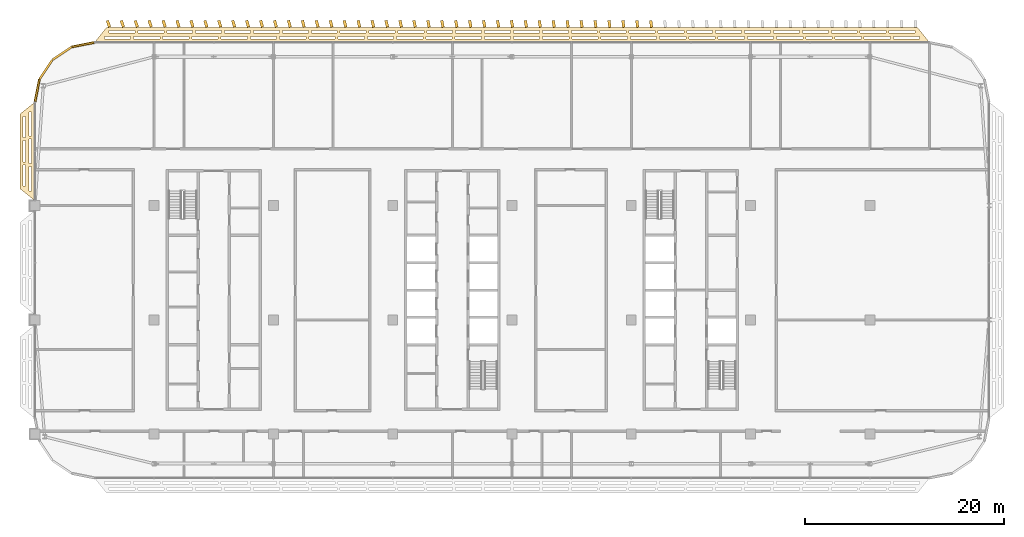
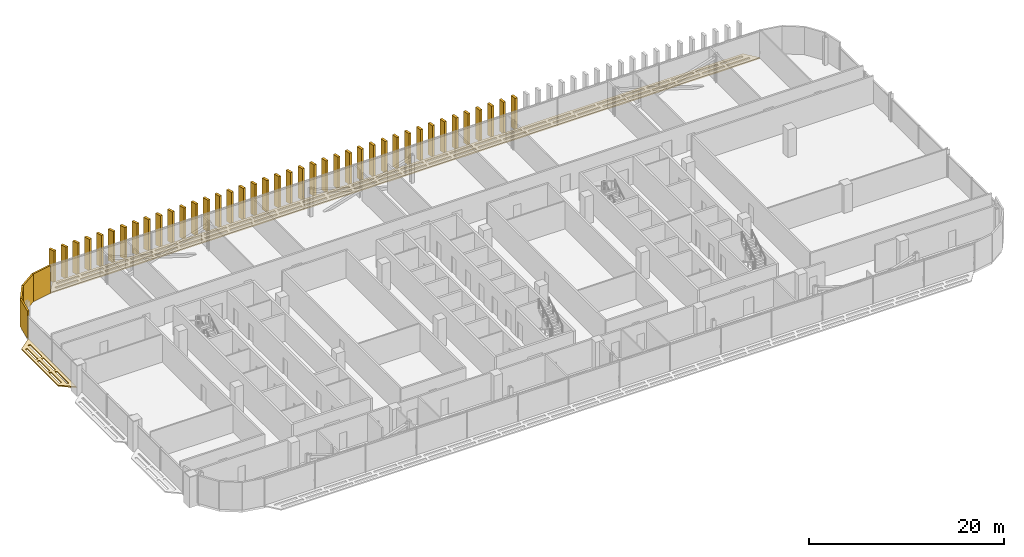
# One storey, part 30 of 32: 46 coverings.
"""IFC4 building model written with IfcOpenShell, lengths in metres."""

from ifc_helpers import new_model, si_unit, direction, frame, origin, origin_2d, place, context, subcontext, project, spatial, polyline, rectangle, outline, extrude, material, layer, layer_set, type_object, element, save


model = new_model("IFC4")

# Units and contexts
model_context = context("Model", 3, precision=1e-05, world=origin(), true_north=direction((0.0, 1.0)))
body_context = subcontext(model_context, "Body", "Model", "MODEL_VIEW")
ifc_project = project(units=[si_unit("LENGTHUNIT", "METRE"), si_unit("AREAUNIT", "SQUARE_METRE"), si_unit("VOLUMEUNIT", "CUBIC_METRE"), si_unit("PLANEANGLEUNIT", "RADIAN"), si_unit("MASSUNIT", "GRAM", prefix="KILO")], contexts=[model_context])

# Site, building, storey
site_placement = place(None, origin())
site = spatial("IfcSite", under=ifc_project, at=site_placement, CompositionType="ELEMENT")
building_placement = place(site_placement, origin())
building = spatial("IfcBuilding", under=site, at=building_placement, Name="Mahtab Terrace Research Tower", CompositionType="ELEMENT")
storey_placement = place(building_placement, frame((0.0, 0.0, 240.0)))
storey = spatial("IfcBuildingStorey", under=building, at=storey_placement, Name="L58", CompositionType="ELEMENT", Elevation=240.0)

# Coverings
ifc_material_1 = material(Name="Black aluminium cladding panel", Category="aluminium")
ifc_layer_1 = layer(ifc_material_1, 0.199951171875)
ifc_layer_set_1 = layer_set([ifc_layer_1], Name="Black metal corner cladding 200")
covering_type_1 = type_object("IfcCoveringType", Name="Black metal corner cladding 200", PredefinedType="CLADDING", material=ifc_layer_set_1)
for number, where, z_axis, x_axis, name in (
    (1, (-37.14794921875, 27.6884765625, 0.0), (0.0, 0.0, 1.0), (-0.980760981187, -0.195212442692, 0.0), "Corner cladding L58 4"),
    (2, (-39.26953125, 26.81005859375, 0.0), (0.0, 0.0, 1.0), (-0.831655794326, -0.555291490808, 0.0), "Corner cladding L58 5"),
    (3, (-40.89306640625, 25.1865234375, 0.0), (0.0, 0.0, 1.0), (-0.555291490808, -0.831655794326, 0.0), "Corner cladding L58 6"),
    (4, (-41.771484375, 23.06494140625, 0.0), (0.0, 0.0, 1.0), (-0.195212442692, -0.980760981187, 0.0), "Corner cladding L58 7"),
):
    element("IfcCovering", number, at=place(storey_placement, frame(where, z_axis=z_axis, x_axis=x_axis)), inside=storey, type_object=covering_type_1, Name=name, PredefinedType="CLADDING", context=body_context, shape_type="SweptSolid", body=[
        extrude(rectangle(XDim=2.30126953125, YDim=0.199951171875, at=origin_2d()), origin(), (0.0, 0.0, 1.0), 3.4599609375),
    ])
ifc_material_2 = material(Name="Black anodised aluminium", Category="aluminium")
ifc_layer_2 = layer(ifc_material_2, 0.14990234375)
ifc_layer_set_2 = layer_set([ifc_layer_2], Name="Horizontal sunshade band")
covering_type_2 = type_object("IfcCoveringType", Name="Horizontal sunshade band", PredefinedType="CLADDING", material=ifc_layer_set_2)
covering_1_placement = place(storey_placement, frame((0.0, 0.0, -0.14990234375)))
element("IfcCovering", 5, at=covering_1_placement, inside=storey, type_object=covering_type_2, Name="Sunshade band L58 3", PredefinedType="CLADDING", context=body_context, shape_type="SweptSolid", body=[
    extrude(outline(polyline([(48.0, 27.9169921875), (-36.0, 27.9169921875), (-34.800048828125, 29.4169921875), (46.800048828125, 29.4169921875), (48.0, 27.9169921875)]), holes=[polyline([(47.02001953125, 28.26708984375), (44.37890625, 28.26708984375), (44.37890625, 28.51708984375), (47.02001953125, 28.51708984375), (47.02001953125, 28.26708984375)]), polyline([(44.0791015625, 28.26708984375), (41.43896484375, 28.26708984375), (41.43896484375, 28.51708984375), (44.0791015625, 28.51708984375), (44.0791015625, 28.26708984375)]), polyline([(41.138916015625, 28.26708984375), (38.498046875, 28.26708984375), (38.498046875, 28.51708984375), (41.138916015625, 28.51708984375), (41.138916015625, 28.26708984375)]), polyline([(38.197998046875, 28.26708984375), (35.556884765625, 28.26708984375), (35.556884765625, 28.51708984375), (38.197998046875, 28.51708984375), (38.197998046875, 28.26708984375)]), polyline([(35.257080078125, 28.26708984375), (32.615966796875, 28.26708984375), (32.615966796875, 28.51708984375), (35.257080078125, 28.51708984375), (35.257080078125, 28.26708984375)]), polyline([(32.31591796875, 28.26708984375), (29.676025390625, 28.26708984375), (29.676025390625, 28.51708984375), (32.31591796875, 28.51708984375), (32.31591796875, 28.26708984375)]), polyline([(29.3759765625, 28.26708984375), (26.735107421875, 28.26708984375), (26.735107421875, 28.51708984375), (29.3759765625, 28.51708984375), (29.3759765625, 28.26708984375)]), polyline([(26.43505859375, 28.26708984375), (23.7939453125, 28.26708984375), (23.7939453125, 28.51708984375), (26.43505859375, 28.51708984375), (26.43505859375, 28.26708984375)]), polyline([(23.493896484375, 28.26708984375), (20.85400390625, 28.26708984375), (20.85400390625, 28.51708984375), (23.493896484375, 28.51708984375), (23.493896484375, 28.26708984375)]), polyline([(20.553955078125, 28.26708984375), (17.9130859375, 28.26708984375), (17.9130859375, 28.51708984375), (20.553955078125, 28.51708984375), (20.553955078125, 28.26708984375)]), polyline([(17.613037109375, 28.26708984375), (14.971923828125, 28.26708984375), (14.971923828125, 28.51708984375), (17.613037109375, 28.51708984375), (17.613037109375, 28.26708984375)]), polyline([(14.672119140625, 28.26708984375), (12.031005859375, 28.26708984375), (12.031005859375, 28.51708984375), (14.672119140625, 28.51708984375), (14.672119140625, 28.26708984375)]), polyline([(11.73095703125, 28.26708984375), (9.091064453125, 28.26708984375), (9.091064453125, 28.51708984375), (11.73095703125, 28.51708984375), (11.73095703125, 28.26708984375)]), polyline([(8.791015625, 28.26708984375), (6.14990234375, 28.26708984375), (6.14990234375, 28.51708984375), (8.791015625, 28.51708984375), (8.791015625, 28.26708984375)]), polyline([(5.85009765625, 28.26708984375), (3.208984375, 28.26708984375), (3.208984375, 28.51708984375), (5.85009765625, 28.51708984375), (5.85009765625, 28.26708984375)]), polyline([(2.908935546875, 28.26708984375), (0.26904296875, 28.26708984375), (0.26904296875, 28.51708984375), (2.908935546875, 28.51708984375), (2.908935546875, 28.26708984375)]), polyline([(-0.031005859375, 28.26708984375), (-2.672119140625, 28.26708984375), (-2.672119140625, 28.51708984375), (-0.031005859375, 28.51708984375), (-0.031005859375, 28.26708984375)]), polyline([(-2.971923828125, 28.26708984375), (-5.613037109375, 28.26708984375), (-5.613037109375, 28.51708984375), (-2.971923828125, 28.51708984375), (-2.971923828125, 28.26708984375)]), polyline([(-5.9130859375, 28.26708984375), (-8.553955078125, 28.26708984375), (-8.553955078125, 28.51708984375), (-5.9130859375, 28.51708984375), (-5.9130859375, 28.26708984375)]), polyline([(-8.85400390625, 28.26708984375), (-11.493896484375, 28.26708984375), (-11.493896484375, 28.51708984375), (-8.85400390625, 28.51708984375), (-8.85400390625, 28.26708984375)]), polyline([(-11.7939453125, 28.26708984375), (-14.43505859375, 28.26708984375), (-14.43505859375, 28.51708984375), (-11.7939453125, 28.51708984375), (-11.7939453125, 28.26708984375)]), polyline([(-14.735107421875, 28.26708984375), (-17.3759765625, 28.26708984375), (-17.3759765625, 28.51708984375), (-14.735107421875, 28.51708984375), (-14.735107421875, 28.26708984375)]), polyline([(-17.676025390625, 28.26708984375), (-20.31591796875, 28.26708984375), (-20.31591796875, 28.51708984375), (-17.676025390625, 28.51708984375), (-17.676025390625, 28.26708984375)]), polyline([(-20.615966796875, 28.26708984375), (-23.257080078125, 28.26708984375), (-23.257080078125, 28.51708984375), (-20.615966796875, 28.51708984375), (-20.615966796875, 28.26708984375)]), polyline([(-23.556884765625, 28.26708984375), (-26.197998046875, 28.26708984375), (-26.197998046875, 28.51708984375), (-23.556884765625, 28.51708984375), (-23.556884765625, 28.26708984375)]), polyline([(-26.498046875, 28.26708984375), (-29.138916015625, 28.26708984375), (-29.138916015625, 28.51708984375), (-26.498046875, 28.51708984375), (-26.498046875, 28.26708984375)]), polyline([(-29.43896484375, 28.26708984375), (-32.0791015625, 28.26708984375), (-32.0791015625, 28.51708984375), (-29.43896484375, 28.51708984375), (-29.43896484375, 28.26708984375)]), polyline([(-32.37890625, 28.26708984375), (-35.02001953125, 28.26708984375), (-35.02001953125, 28.51708984375), (-32.37890625, 28.51708984375), (-32.37890625, 28.26708984375)]), polyline([(46.5400390625, 28.866943359375), (43.93408203125, 28.866943359375), (43.93408203125, 29.116943359375), (46.5400390625, 29.116943359375), (46.5400390625, 28.866943359375)]), polyline([(43.634033203125, 28.866943359375), (41.027099609375, 28.866943359375), (41.027099609375, 29.116943359375), (43.634033203125, 29.116943359375), (43.634033203125, 28.866943359375)]), polyline([(40.72705078125, 28.866943359375), (38.12109375, 28.866943359375), (38.12109375, 29.116943359375), (40.72705078125, 29.116943359375), (40.72705078125, 28.866943359375)]), polyline([(37.821044921875, 28.866943359375), (35.214111328125, 28.866943359375), (35.214111328125, 29.116943359375), (37.821044921875, 29.116943359375), (37.821044921875, 28.866943359375)]), polyline([(34.9140625, 28.866943359375), (32.30810546875, 28.866943359375), (32.30810546875, 29.116943359375), (34.9140625, 29.116943359375), (34.9140625, 28.866943359375)]), polyline([(32.008056640625, 28.866943359375), (29.40087890625, 28.866943359375), (29.40087890625, 29.116943359375), (32.008056640625, 29.116943359375), (32.008056640625, 28.866943359375)]), polyline([(29.10107421875, 28.866943359375), (26.4951171875, 28.866943359375), (26.4951171875, 29.116943359375), (29.10107421875, 29.116943359375), (29.10107421875, 28.866943359375)]), polyline([(26.195068359375, 28.866943359375), (23.589111328125, 28.866943359375), (23.589111328125, 29.116943359375), (26.195068359375, 29.116943359375), (26.195068359375, 28.866943359375)]), polyline([(23.2890625, 28.866943359375), (20.681884765625, 28.866943359375), (20.681884765625, 29.116943359375), (23.2890625, 29.116943359375), (23.2890625, 28.866943359375)]), polyline([(20.382080078125, 28.866943359375), (17.77587890625, 28.866943359375), (17.77587890625, 29.116943359375), (20.382080078125, 29.116943359375), (20.382080078125, 28.866943359375)]), polyline([(17.47607421875, 28.866943359375), (14.868896484375, 28.866943359375), (14.868896484375, 29.116943359375), (17.47607421875, 29.116943359375), (17.47607421875, 28.866943359375)]), polyline([(14.569091796875, 28.866943359375), (11.962890625, 28.866943359375), (11.962890625, 29.116943359375), (14.569091796875, 29.116943359375), (14.569091796875, 28.866943359375)]), polyline([(11.6630859375, 28.866943359375), (9.055908203125, 28.866943359375), (9.055908203125, 29.116943359375), (11.6630859375, 29.116943359375), (11.6630859375, 28.866943359375)]), polyline([(8.756103515625, 28.866943359375), (6.14990234375, 28.866943359375), (6.14990234375, 29.116943359375), (8.756103515625, 29.116943359375), (8.756103515625, 28.866943359375)]), polyline([(5.85009765625, 28.866943359375), (3.243896484375, 28.866943359375), (3.243896484375, 29.116943359375), (5.85009765625, 29.116943359375), (5.85009765625, 28.866943359375)]), polyline([(2.944091796875, 28.866943359375), (0.3369140625, 28.866943359375), (0.3369140625, 29.116943359375), (2.944091796875, 29.116943359375), (2.944091796875, 28.866943359375)]), polyline([(0.037109375, 28.866943359375), (-2.569091796875, 28.866943359375), (-2.569091796875, 29.116943359375), (0.037109375, 29.116943359375), (0.037109375, 28.866943359375)]), polyline([(-2.868896484375, 28.866943359375), (-5.47607421875, 28.866943359375), (-5.47607421875, 29.116943359375), (-2.868896484375, 29.116943359375), (-2.868896484375, 28.866943359375)]), polyline([(-5.77587890625, 28.866943359375), (-8.382080078125, 28.866943359375), (-8.382080078125, 29.116943359375), (-5.77587890625, 29.116943359375), (-5.77587890625, 28.866943359375)]), polyline([(-8.681884765625, 28.866943359375), (-11.2890625, 28.866943359375), (-11.2890625, 29.116943359375), (-8.681884765625, 29.116943359375), (-8.681884765625, 28.866943359375)]), polyline([(-11.589111328125, 28.866943359375), (-14.195068359375, 28.866943359375), (-14.195068359375, 29.116943359375), (-11.589111328125, 29.116943359375), (-11.589111328125, 28.866943359375)]), polyline([(-14.4951171875, 28.866943359375), (-17.10107421875, 28.866943359375), (-17.10107421875, 29.116943359375), (-14.4951171875, 29.116943359375), (-14.4951171875, 28.866943359375)]), polyline([(-17.40087890625, 28.866943359375), (-20.008056640625, 28.866943359375), (-20.008056640625, 29.116943359375), (-17.40087890625, 29.116943359375), (-17.40087890625, 28.866943359375)]), polyline([(-20.30810546875, 28.866943359375), (-22.9140625, 28.866943359375), (-22.9140625, 29.116943359375), (-20.30810546875, 29.116943359375), (-20.30810546875, 28.866943359375)]), polyline([(-23.214111328125, 28.866943359375), (-25.821044921875, 28.866943359375), (-25.821044921875, 29.116943359375), (-23.214111328125, 29.116943359375), (-23.214111328125, 28.866943359375)]), polyline([(-26.12109375, 28.866943359375), (-28.72705078125, 28.866943359375), (-28.72705078125, 29.116943359375), (-26.12109375, 29.116943359375), (-26.12109375, 28.866943359375)]), polyline([(-29.027099609375, 28.866943359375), (-31.634033203125, 28.866943359375), (-31.634033203125, 29.116943359375), (-29.027099609375, 29.116943359375), (-29.027099609375, 28.866943359375)]), polyline([(-31.93408203125, 28.866943359375), (-34.5400390625, 28.866943359375), (-34.5400390625, 29.116943359375), (-31.93408203125, 29.116943359375), (-31.93408203125, 28.866943359375)])]), origin(), (0.0, 0.0, 1.0), 0.14990234375),
])
covering_2_placement = place(storey_placement, frame((0.0, 0.0, -0.14990234375)))
element("IfcCovering", 6, at=covering_2_placement, inside=storey, type_object=covering_type_2, Name="Sunshade band L58 8", PredefinedType="CLADDING", context=body_context, shape_type="SweptSolid", body=[
    extrude(outline(polyline([(-42.0, 21.9169921875), (-42.0, 12.0), (-43.5, 13.199951171875), (-43.5, 20.717041015625), (-42.0, 21.9169921875)]), holes=[polyline([(-42.35009765625, 20.93701171875), (-42.35009765625, 18.485107421875), (-42.60009765625, 18.485107421875), (-42.60009765625, 20.93701171875), (-42.35009765625, 20.93701171875)]), polyline([(-42.35009765625, 18.18505859375), (-42.35009765625, 15.73193359375), (-42.60009765625, 15.73193359375), (-42.60009765625, 18.18505859375), (-42.35009765625, 18.18505859375)]), polyline([(-42.35009765625, 15.431884765625), (-42.35009765625, 12.97998046875), (-42.60009765625, 12.97998046875), (-42.60009765625, 15.431884765625), (-42.35009765625, 15.431884765625)]), polyline([(-42.949951171875, 20.45703125), (-42.949951171875, 18.324951171875), (-43.199951171875, 18.324951171875), (-43.199951171875, 20.45703125), (-42.949951171875, 20.45703125)]), polyline([(-42.949951171875, 18.02490234375), (-42.949951171875, 15.89208984375), (-43.199951171875, 15.89208984375), (-43.199951171875, 18.02490234375), (-42.949951171875, 18.02490234375)]), polyline([(-42.949951171875, 15.592041015625), (-42.949951171875, 13.4599609375), (-43.199951171875, 13.4599609375), (-43.199951171875, 15.592041015625), (-42.949951171875, 15.592041015625)])]), origin(), (0.0, 0.0, 1.0), 0.14990234375),
])
ifc_material_3 = material(Name="Bronze anodised aluminium", Category="aluminium")
ifc_layer_3 = layer(ifc_material_3, 0.1201171875)
ifc_layer_set_3 = layer_set([ifc_layer_3], Name="Vertical fin 700")
covering_type_3 = type_object("IfcCoveringType", Name="Vertical fin 700", PredefinedType="CLADDING", material=ifc_layer_set_3)
for number, where, z_axis, x_axis, name in (
    (7, (20.0, 29.781005859375, -0.14990234375), (0.0, 0.0, 1.0), (-0.993238357741, -0.116092914131, 0.0), "Fin L58 N20"),
    (8, (18.60009765625, 29.781494140625, -0.14990234375), (0.0, 0.0, 1.0), (-0.992546151641, -0.121869343405, 0.0), "Fin L58 N21"),
    (9, (17.199951171875, 29.781982421875, -0.14990234375), (0.0, 0.0, 1.0), (-0.991820351542, -0.127641647855, 0.0), "Fin L58 N22"),
    (10, (15.800048828125, 29.782470703125, -0.14990234375), (0.0, 0.0, 1.0), (-0.991060982007, -0.133409632126, 0.0), "Fin L58 N23"),
    (11, (14.39990234375, 29.782958984375, -0.14990234375), (0.0, 0.0, 1.0), (-0.990268068742, -0.13917310096, 0.0), "Fin L58 N24"),
    (12, (13.0, 29.78369140625, -0.14990234375), (0.0, 0.0, 1.0), (-0.989441638582, -0.144931859301, 0.0), "Fin L58 N25"),
    (13, (11.60009765625, 29.7841796875, -0.14990234375), (0.0, 0.0, 1.0), (-0.988581719496, -0.150685712255, 0.0), "Fin L58 N26"),
    (14, (10.199951171875, 29.78466796875, -0.14990234375), (0.0, 0.0, 1.0), (-0.987688340595, -0.15643446504, 0.0), "Fin L58 N27"),
    (15, (8.800048828125, 29.78515625, -0.14990234375), (0.0, 0.0, 1.0), (-0.986761532114, -0.1621779231, 0.0), "Fin L58 N28"),
    (16, (7.39990234375, 29.78564453125, -0.14990234375), (0.0, 0.0, 1.0), (-0.985801325417, -0.167915892057, 0.0), "Fin L58 N29"),
    (17, (6.0, 29.785888671875, -0.14990234375), (0.0, 0.0, 1.0), (-0.984807753012, -0.173648177667, 0.0), "Fin L58 N30"),
    (18, (4.60009765625, 29.786376953125, -0.14990234375), (0.0, 0.0, 1.0), (-0.983780848524, -0.179374585932, 0.0), "Fin L58 N31"),
    (19, (3.199951171875, 29.786865234375, -0.14990234375), (0.0, 0.0, 1.0), (-0.982720646705, -0.18509492305, 0.0), "Fin L58 N32"),
    (20, (1.800048828125, 29.787353515625, -0.14990234375), (0.0, 0.0, 1.0), (-0.981627183448, -0.190808995377, 0.0), "Fin L58 N33"),
    (21, (0.39990234375, 29.78759765625, -0.14990234375), (0.0, 0.0, 1.0), (-0.980500495757, -0.196516609527, 0.0), "Fin L58 N34"),
    (22, (-1.0, 29.7880859375, -0.14990234375), (0.0, 0.0, 1.0), (-0.979340621764, -0.202217572338, 0.0), "Fin L58 N35"),
    (23, (-2.39990234375, 29.78857421875, -0.14990234375), (0.0, 0.0, 1.0), (-0.978147600734, -0.207911690818, 0.0), "Fin L58 N36"),
    (24, (-3.800048828125, 29.788818359375, -0.14990234375), (0.0, 0.0, 1.0), (-0.976921473041, -0.21359877226, 0.0), "Fin L58 N37"),
    (25, (-5.199951171875, 29.7890625, -0.14990234375), (0.0, 0.0, 1.0), (-0.975662280183, -0.219278624194, 0.0), "Fin L58 N38"),
    (26, (-6.60009765625, 29.78955078125, -0.14990234375), (0.0, 0.0, 1.0), (-0.974370064785, -0.224951054344, 0.0), "Fin L58 N39"),
    (27, (-8.0, 29.789794921875, -0.14990234375), (0.0, 0.0, 1.0), (-0.973044870581, -0.230615870737, 0.0), "Fin L58 N40"),
    (28, (-9.39990234375, 29.790283203125, -0.14990234375), (0.0, 0.0, 1.0), (-0.97168674242, -0.236272881656, 0.0), "Fin L58 N41"),
    (29, (-10.800048828125, 29.79052734375, -0.14990234375), (0.0, 0.0, 1.0), (-0.970295726276, -0.2419218956, 0.0), "Fin L58 N42"),
    (30, (-12.199951171875, 29.790771484375, -0.14990234375), (0.0, 0.0, 1.0), (-0.968871869227, -0.247562721386, 0.0), "Fin L58 N43"),
    (31, (-13.60009765625, 29.791015625, -0.14990234375), (0.0, 0.0, 1.0), (-0.967415219461, -0.25319516811, 0.0), "Fin L58 N44"),
    (32, (-15.0, 29.791259765625, -0.14990234375), (0.0, 0.0, 1.0), (-0.965925826289, -0.258819045103, 0.0), "Fin L58 N45"),
    (33, (-16.39990234375, 29.79150390625, -0.14990234375), (0.0, 0.0, 1.0), (-0.964403740116, -0.264434162032, 0.0), "Fin L58 N46"),
    (34, (-17.800048828125, 29.791748046875, -0.14990234375), (0.0, 0.0, 1.0), (-0.962849012456, -0.270040328864, 0.0), "Fin L58 N47"),
    (35, (-19.199951171875, 29.7919921875, -0.14990234375), (0.0, 0.0, 1.0), (-0.961261695938, -0.275637355817, 0.0), "Fin L58 N48"),
    (36, (-20.60009765625, 29.792236328125, -0.14990234375), (0.0, 0.0, 1.0), (-0.959641844284, -0.28122505347, 0.0), "Fin L58 N49"),
    (37, (-22.0, 29.79248046875, -0.14990234375), (0.0, 0.0, 1.0), (-0.957989512314, -0.286803232717, 0.0), "Fin L58 N50"),
    (38, (-23.39990234375, 29.792724609375, -0.14990234375), (0.0, 0.0, 1.0), (-0.956304755963, -0.292371704723, 0.0), "Fin L58 N51"),
    (39, (-24.800048828125, 29.792724609375, -0.14990234375), (0.0, 0.0, 1.0), (-0.954587632249, -0.297930281033, 0.0), "Fin L58 N52"),
    (40, (-26.199951171875, 29.79296875, -0.14990234375), (0.0, 0.0, 1.0), (-0.952838199286, -0.303478773527, 0.0), "Fin L58 N53"),
    (41, (-27.60009765625, 29.793212890625, -0.14990234375), (0.0, 0.0, 1.0), (-0.951056516295, -0.309016994375, 0.0), "Fin L58 N54"),
    (42, (-29.0, 29.793212890625, -0.14990234375), (0.0, 0.0, 1.0), (-0.949242643575, -0.314544756146, 0.0), "Fin L58 N55"),
    (43, (-30.39990234375, 29.79345703125, -0.14990234375), (0.0, 0.0, 1.0), (-0.947396642512, -0.320061871762, 0.0), "Fin L58 N56"),
    (44, (-31.800048828125, 29.79345703125, -0.14990234375), (0.0, 0.0, 1.0), (-0.945518575599, -0.325568154457, 0.0), "Fin L58 N57"),
    (45, (-33.199951171875, 29.793701171875, -0.14990234375), (0.0, 0.0, 1.0), (-0.943608506396, -0.331063417879, 0.0), "Fin L58 N58"),
    (46, (-34.60009765625, 29.793701171875, -0.14990234375), (0.0, 0.0, 1.0), (-0.941666499544, -0.336547476052, 0.0), "Fin L58 N59"),
):
    element("IfcCovering", number, at=place(storey_placement, frame(where, z_axis=z_axis, x_axis=x_axis)), inside=storey, type_object=covering_type_3, Name=name, PredefinedType="CLADDING", context=body_context, shape_type="SweptSolid", body=[
        extrude(rectangle(XDim=0.280029296875, YDim=0.699951171875, at=origin_2d()), origin(), (0.0, 0.0, 1.0), 3.949951171875),
    ])

save(model, "model.ifc")
